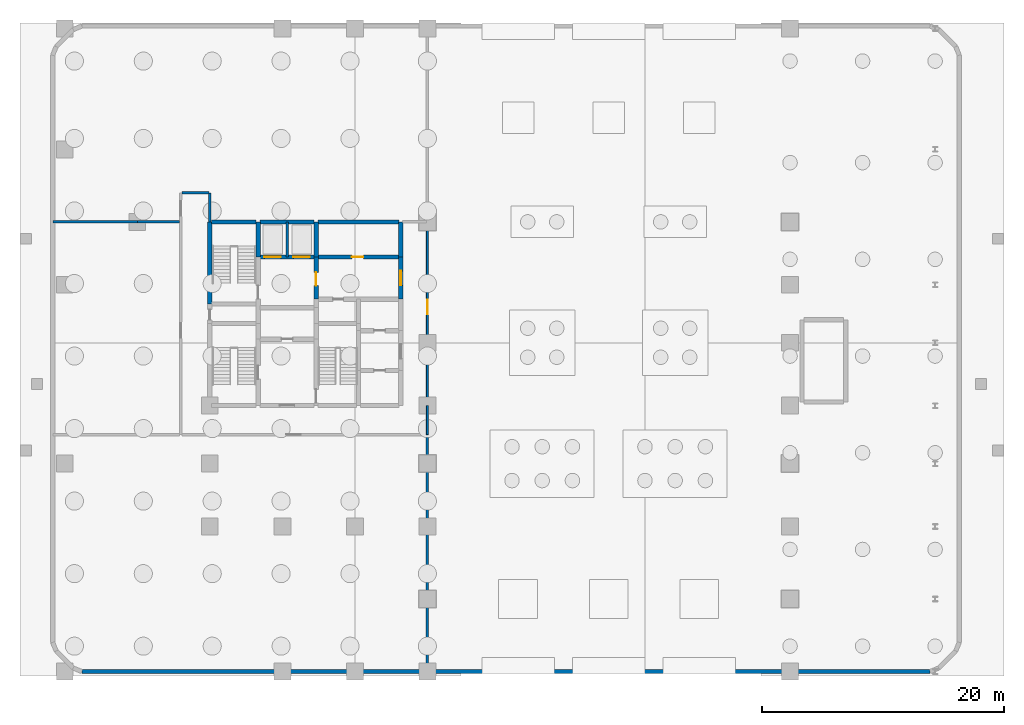
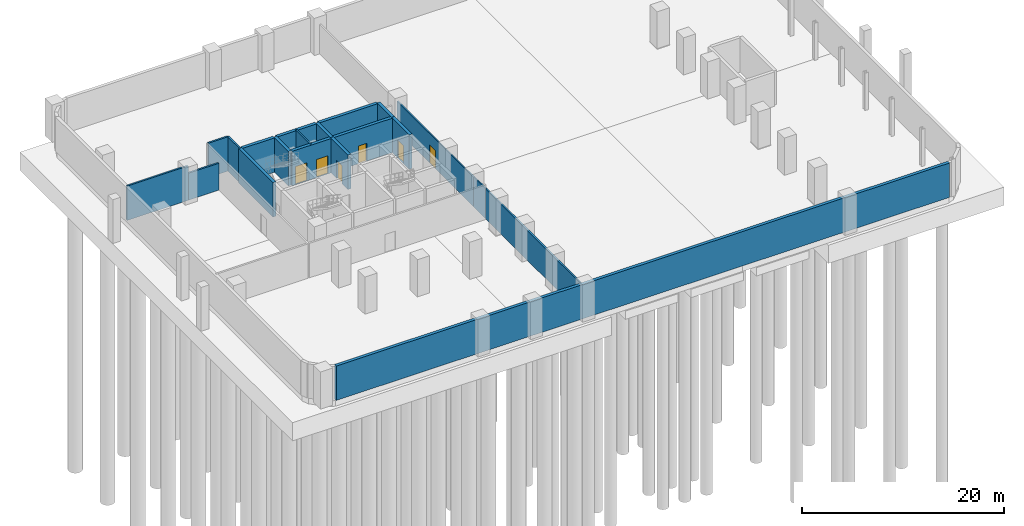
# One storey, part 5 of 8: 20 walls, 6 doors, 6 openings.
"""IFC4 building model written with IfcOpenShell, lengths in metres."""

from ifc_helpers import new_model, si_unit, direction, frame, frame_2d, origin, place, context, subcontext, project, spatial, rectangle, extrude, material, layer, layer_set, type_object, element, fill, save


model = new_model("IFC4")

# Units and contexts
model_context = context("Model", 3, precision=1e-05, world=origin(), true_north=direction((0.0, 1.0)))
body_context = subcontext(model_context, "Body", "Model", "MODEL_VIEW")
ifc_project = project(units=[si_unit("LENGTHUNIT", "METRE"), si_unit("AREAUNIT", "SQUARE_METRE"), si_unit("VOLUMEUNIT", "CUBIC_METRE"), si_unit("PLANEANGLEUNIT", "RADIAN"), si_unit("MASSUNIT", "GRAM", prefix="KILO")], contexts=[model_context])

# Site, building, storey
site_placement = place(None, origin())
site = spatial("IfcSite", under=ifc_project, at=site_placement, CompositionType="ELEMENT")
building_placement = place(site_placement, origin())
building = spatial("IfcBuilding", under=site, at=building_placement, Name="Keshet Zoharim Tower", CompositionType="ELEMENT")
storey_placement = place(building_placement, frame((0.0, 0.0, -9.0)))
storey = spatial("IfcBuildingStorey", under=building, at=storey_placement, Name="B2", CompositionType="ELEMENT", Elevation=-9.0)

# Wall
ifc_material_1 = material(Name="Gypsum Plasterboard", Category="gypsum")
ifc_layer_1 = layer(ifc_material_1, 0.14990234375)
ifc_layer_set_1 = layer_set([ifc_layer_1], Name="Gypsum Plasterboard")
wall_type_1 = type_object("IfcWallType", Name="WL-CLIN-150", PredefinedType="STANDARD", material=ifc_layer_set_1)
wall_1_placement = place(storey_placement, frame((33.0, 20.300048828125, 0.0), z_axis=(0.0, 0.0, 1.0), x_axis=(0.0, 1.0, 0.0)))
element("IfcWall", 1, at=wall_1_placement, inside=storey, type_object=wall_type_1, Name="B2 Interior Wall 027", PredefinedType="STANDARD", context=body_context, shape_type="SweptSolid", body=[
    extrude(rectangle(XDim=2.39990234375, YDim=0.14990234375, at=frame_2d((1.199951171875, 0.0))), origin(), (0.0, 0.0, 1.0), 3.610107421875),
])

# Wall, opening, door
wall_2_placement = place(storey_placement, frame((33.0, 22.699951171875, 0.0), z_axis=(0.0, 0.0, 1.0), x_axis=(0.0, 1.0, 0.0)))
wall_2 = element("IfcWall", 2, at=wall_2_placement, inside=storey, type_object=wall_type_1, Name="B2 Interior Wall 027 Part 2", PredefinedType="STANDARD", context=body_context, shape_type="SweptSolid", body=[
    extrude(rectangle(XDim=15.199951171875, YDim=0.14990234375, at=frame_2d((7.60009765625, 0.0))), origin(), (0.0, 0.0, 1.0), 3.56005859375),
])
opening_1_placement = place(wall_2_placement, frame((7.574951171875, 0.0, 0.0)))
opening_1 = element("IfcOpeningElement", 3, at=opening_1_placement, cuts=wall_2, Name="Opening D-F612", PredefinedType="OPENING", context=body_context, shape_type="SweptSolid", body=[
    extrude(rectangle(XDim=1.199951171875, YDim=2.199951171875, at=frame_2d((0.60009765625, 1.10009765625))), frame((0.0, 0.0849609375, 0.0), z_axis=(0.0, -1.0, 0.0), x_axis=(1.0, 0.0, 0.0)), (0.0, 0.0, 1.0), 0.169921875),
])
ifc_material_2 = material(Name="Hardwood Timber", Category="wood")
door_type_1 = type_object("IfcDoorType", Name="DR-FD60-120", OperationType="NOTDEFINED", PredefinedType="DOOR", material=ifc_material_2)
door_1_placement = place(opening_1_placement, origin())
door_1 = element("IfcDoor", 4, at=door_1_placement, inside=storey, type_object=door_type_1, Name="B2 Lower Basement Car Park Fire Door", OperationType="SINGLE_SWING_LEFT", OverallHeight=2.199951171875, OverallWidth=1.199951171875, PredefinedType="DOOR", context=body_context, shape_type="SweptSolid", body=[
    extrude(rectangle(XDim=1.199951171875, YDim=2.199951171875, at=frame_2d((0.60009765625, 1.10009765625))), frame((0.0, 0.02490234375, 0.0), z_axis=(0.0, -1.0, 0.0), x_axis=(1.0, 0.0, 0.0)), (0.0, 0.0, 1.0), 0.050048828125),
])
fill(opening_1, door_1)

# Walls
ifc_material_3 = material(Name="Concrete C60/75", Category="concrete")
ifc_layer_2 = layer(ifc_material_3, 0.35009765625)
ifc_layer_set_2 = layer_set([ifc_layer_2], Name="Concrete C60/75")
wall_type_2 = type_object("IfcWallType", Name="WL-CORE-350", PredefinedType="SHEAR", material=ifc_layer_set_2)
wall_3_placement = place(storey_placement, frame((15.0, 31.10009765625, 0.0), z_axis=(0.0, 0.0, 1.0), x_axis=(0.0, 1.0, 0.0)))
element("IfcWall", 5, at=wall_3_placement, inside=storey, type_object=wall_type_2, Name="B2 Core Shear Wall 004", PredefinedType="SHEAR", context=body_context, shape_type="SweptSolid", body=[
    extrude(rectangle(XDim=6.7998046875, YDim=0.35009765625, at=frame_2d((3.39990234375, 0.0))), origin(), (0.0, 0.0, 1.0), 4.159912109375),
])
wall_4_placement = place(storey_placement, frame((19.0, 35.0, 0.0), z_axis=(0.0, 0.0, 1.0), x_axis=(0.0, 1.0, 0.0)))
element("IfcWall", 6, at=wall_4_placement, inside=storey, type_object=wall_type_2, Name="B2 Core Shear Wall 009", PredefinedType="SHEAR", context=body_context, shape_type="SweptSolid", body=[
    extrude(rectangle(XDim=2.89990234375, YDim=0.35009765625, at=frame_2d((1.449951171875, 0.0))), origin(), (0.0, 0.0, 1.0), 4.159912109375),
])

# Wall, opening, door
wall_5_placement = place(storey_placement, frame((23.800048828125, 31.5, 0.0), z_axis=(0.0, 0.0, 1.0), x_axis=(0.0, 1.0, 0.0)))
wall_5 = element("IfcWall", 7, at=wall_5_placement, inside=storey, type_object=wall_type_2, Name="B2 Core Shear Wall 015", PredefinedType="SHEAR", context=body_context, shape_type="SweptSolid", body=[
    extrude(rectangle(XDim=3.5, YDim=0.35009765625, at=frame_2d((1.75, 0.0))), origin(), (0.0, 0.0, 1.0), 4.159912109375),
])
opening_2_placement = place(wall_5_placement, frame((1.126953125, 0.0, 0.0)))
opening_2 = element("IfcOpeningElement", 8, at=opening_2_placement, cuts=wall_5, Name="Opening D-F611", PredefinedType="OPENING", context=body_context, shape_type="SweptSolid", body=[
    extrude(rectangle(XDim=1.10009765625, YDim=2.14990234375, at=frame_2d((0.550048828125, 1.074951171875))), frame((0.0, 0.18505859375, 0.0), z_axis=(0.0, -1.0, 0.0), x_axis=(1.0, 0.0, 0.0)), (0.0, 0.0, 1.0), 0.3701171875),
])
door_type_2 = type_object("IfcDoorType", Name="DR-FD60-110", OperationType="NOTDEFINED", PredefinedType="DOOR", material=ifc_material_2)
door_2_placement = place(opening_2_placement, origin())
door_2 = element("IfcDoor", 9, at=door_2_placement, inside=storey, type_object=door_type_2, Name="B2 Firefighting Lobby Fire Door", OperationType="SINGLE_SWING_RIGHT", OverallHeight=2.14990234375, OverallWidth=1.10009765625, PredefinedType="DOOR", context=body_context, shape_type="SweptSolid", body=[
    extrude(rectangle(XDim=1.10009765625, YDim=2.14990234375, at=frame_2d((0.550048828125, 1.074951171875))), frame((0.0, 0.02490234375, 0.0), z_axis=(0.0, -1.0, 0.0), x_axis=(1.0, 0.0, 0.0)), (0.0, 0.0, 1.0), 0.050048828125),
])
fill(opening_2, door_2)

# Wall
wall_6_placement = place(storey_placement, frame((23.800048828125, 35.0, 0.0), z_axis=(0.0, 0.0, 1.0), x_axis=(0.0, 1.0, 0.0)))
element("IfcWall", 10, at=wall_6_placement, inside=storey, type_object=wall_type_2, Name="B2 Core Shear Wall 016", PredefinedType="SHEAR", context=body_context, shape_type="SweptSolid", body=[
    extrude(rectangle(XDim=2.89990234375, YDim=0.35009765625, at=frame_2d((1.449951171875, 0.0))), origin(), (0.0, 0.0, 1.0), 4.159912109375),
])

# Wall, opening, door
wall_7_placement = place(storey_placement, frame((30.800048828125, 31.5, 0.0), z_axis=(0.0, 0.0, 1.0), x_axis=(0.0, 1.0, 0.0)))
wall_7 = element("IfcWall", 11, at=wall_7_placement, inside=storey, type_object=wall_type_2, Name="B2 Core Shear Wall 024", PredefinedType="SHEAR", context=body_context, shape_type="SweptSolid", body=[
    extrude(rectangle(XDim=3.5, YDim=0.35009765625, at=frame_2d((1.75, 0.0))), origin(), (0.0, 0.0, 1.0), 4.159912109375),
])
opening_3_placement = place(wall_7_placement, frame((1.14990234375, 0.0, 0.0)))
opening_3 = element("IfcOpeningElement", 12, at=opening_3_placement, cuts=wall_7, Name="Opening D-F612", PredefinedType="OPENING", context=body_context, shape_type="SweptSolid", body=[
    extrude(rectangle(XDim=1.199951171875, YDim=2.199951171875, at=frame_2d((0.60009765625, 1.10009765625))), frame((0.0, 0.18505859375, 0.0), z_axis=(0.0, -1.0, 0.0), x_axis=(1.0, 0.0, 0.0)), (0.0, 0.0, 1.0), 0.3701171875),
])
door_3_placement = place(opening_3_placement, origin())
door_3 = element("IfcDoor", 13, at=door_3_placement, inside=storey, type_object=door_type_1, Name="B2 North Lift Lobby East Fire Door", OperationType="SINGLE_SWING_RIGHT", OverallHeight=2.199951171875, OverallWidth=1.199951171875, PredefinedType="DOOR", context=body_context, shape_type="SweptSolid", body=[
    extrude(rectangle(XDim=1.199951171875, YDim=2.199951171875, at=frame_2d((0.60009765625, 1.10009765625))), frame((0.0, 0.02490234375, 0.0), z_axis=(0.0, -1.0, 0.0), x_axis=(1.0, 0.0, 0.0)), (0.0, 0.0, 1.0), 0.050048828125),
])
fill(opening_3, door_3)

# Wall
wall_8_placement = place(storey_placement, frame((30.800048828125, 35.0, 0.0), z_axis=(0.0, 0.0, 1.0), x_axis=(0.0, 1.0, 0.0)))
element("IfcWall", 14, at=wall_8_placement, inside=storey, type_object=wall_type_2, Name="B2 Core Shear Wall 025", PredefinedType="SHEAR", context=body_context, shape_type="SweptSolid", body=[
    extrude(rectangle(XDim=2.89990234375, YDim=0.35009765625, at=frame_2d((1.449951171875, 0.0))), origin(), (0.0, 0.0, 1.0), 4.159912109375),
])

# Wall, openings, doors
wall_9_placement = place(storey_placement, frame((19.159912109375, 35.0, 0.0), z_axis=(0.0, 0.0, 1.0), x_axis=(1.0, 0.0, 0.0)))
wall_9 = element("IfcWall", 15, at=wall_9_placement, inside=storey, type_object=wall_type_2, Name="B2 Core Shear Wall 047", PredefinedType="SHEAR", context=body_context, shape_type="SweptSolid", body=[
    extrude(rectangle(XDim=4.47998046875, YDim=0.35009765625, at=frame_2d((2.239990234375, 0.0))), origin(), (0.0, 0.0, 1.0), 4.159912109375),
])
opening_4_placement = place(wall_9_placement, frame((0.364990234375, 0.0, 0.0)))
opening_4 = element("IfcOpeningElement", 16, at=opening_4_placement, cuts=wall_9, Name="Opening LD-02", PredefinedType="OPENING", context=body_context, shape_type="SweptSolid", body=[
    extrude(rectangle(XDim=1.35009765625, YDim=2.199951171875, at=frame_2d((0.675048828125, 1.10009765625))), frame((0.0, 0.18505859375, 0.0), z_axis=(0.0, -1.0, 0.0), x_axis=(1.0, 0.0, 0.0)), (0.0, 0.0, 1.0), 0.3701171875),
])
opening_5_placement = place(wall_9_placement, frame((2.764892578125, 0.0, 0.0)))
opening_5 = element("IfcOpeningElement", 17, at=opening_5_placement, cuts=wall_9, Name="Opening LD-02", PredefinedType="OPENING", context=body_context, shape_type="SweptSolid", body=[
    extrude(rectangle(XDim=1.35009765625, YDim=2.199951171875, at=frame_2d((0.675048828125, 1.10009765625))), frame((0.0, 0.18505859375, 0.0), z_axis=(0.0, -1.0, 0.0), x_axis=(1.0, 0.0, 0.0)), (0.0, 0.0, 1.0), 0.3701171875),
])
ifc_material_4 = material(Name="Steel S355", Category="steel")
door_type_3 = type_object("IfcDoorType", Name="DR-LD02-135", OperationType="DOUBLE_DOOR_SLIDING", PredefinedType="DOOR", material=ifc_material_4)
door_4_placement = place(opening_4_placement, origin())
door_4 = element("IfcDoor", 18, at=door_4_placement, inside=storey, type_object=door_type_3, Name="B2 Firefighting Lift Landing Door FF-01", OperationType="DOUBLE_DOOR_SLIDING", OverallHeight=2.199951171875, OverallWidth=1.35009765625, PredefinedType="DOOR", context=body_context, shape_type="SweptSolid", body=[
    extrude(rectangle(XDim=1.35009765625, YDim=2.199951171875, at=frame_2d((0.675048828125, 1.10009765625))), frame((0.0, 0.02490234375, 0.0), z_axis=(0.0, -1.0, 0.0), x_axis=(1.0, 0.0, 0.0)), (0.0, 0.0, 1.0), 0.050048828125),
])
fill(opening_4, door_4)
door_5_placement = place(opening_5_placement, origin())
door_5 = element("IfcDoor", 19, at=door_5_placement, inside=storey, type_object=door_type_3, Name="B2 Firefighting Lift Landing Door FF-02", OperationType="DOUBLE_DOOR_SLIDING", OverallHeight=2.199951171875, OverallWidth=1.35009765625, PredefinedType="DOOR", context=body_context, shape_type="SweptSolid", body=[
    extrude(rectangle(XDim=1.35009765625, YDim=2.199951171875, at=frame_2d((0.675048828125, 1.10009765625))), frame((0.0, 0.02490234375, 0.0), z_axis=(0.0, -1.0, 0.0), x_axis=(1.0, 0.0, 0.0)), (0.0, 0.0, 1.0), 0.050048828125),
])
fill(opening_5, door_5)

# Wall, opening, door
wall_10_placement = place(storey_placement, frame((23.9599609375, 35.0, 0.0), z_axis=(0.0, 0.0, 1.0), x_axis=(1.0, 0.0, 0.0)))
wall_10 = element("IfcWall", 20, at=wall_10_placement, inside=storey, type_object=wall_type_2, Name="B2 Core Shear Wall 048", PredefinedType="SHEAR", context=body_context, shape_type="SweptSolid", body=[
    extrude(rectangle(XDim=6.679931640625, YDim=0.35009765625, at=frame_2d((3.33984375, 0.0))), origin(), (0.0, 0.0, 1.0), 4.159912109375),
])
opening_6_placement = place(wall_10_placement, frame((2.7939453125, 0.0, 0.0)))
opening_6 = element("IfcOpeningElement", 21, at=opening_6_placement, cuts=wall_10, Name="Opening D-F695", PredefinedType="OPENING", context=body_context, shape_type="SweptSolid", body=[
    extrude(rectangle(XDim=0.949951171875, YDim=2.14990234375, at=frame_2d((0.47509765625, 1.074951171875))), frame((0.0, 0.18505859375, 0.0), z_axis=(0.0, -1.0, 0.0), x_axis=(1.0, 0.0, 0.0)), (0.0, 0.0, 1.0), 0.3701171875),
])
door_type_4 = type_object("IfcDoorType", Name="DR-FD60-095", OperationType="NOTDEFINED", PredefinedType="DOOR", material=ifc_material_2)
door_6_placement = place(opening_6_placement, frame((0.949951171875, 0.0, 0.0), z_axis=(0.0, 0.0, 1.0), x_axis=(-1.0, 0.0, 0.0)))
door_6 = element("IfcDoor", 22, at=door_6_placement, inside=storey, type_object=door_type_4, Name="B2 Low-Rise Lift Pit Door", OperationType="SINGLE_SWING_RIGHT", OverallHeight=2.14990234375, OverallWidth=0.949951171875, PredefinedType="DOOR", context=body_context, shape_type="SweptSolid", body=[
    extrude(rectangle(XDim=0.949951171875, YDim=2.14990234375, at=frame_2d((0.47509765625, 1.074951171875))), frame((0.0, 0.02490234375, 0.0), z_axis=(0.0, -1.0, 0.0), x_axis=(1.0, 0.0, 0.0)), (0.0, 0.0, 1.0), 0.050048828125),
])
fill(opening_6, door_6)

# Walls
wall_11_placement = place(storey_placement, frame((15.159912109375, 37.89990234375, 0.0), z_axis=(0.0, 0.0, 1.0), x_axis=(1.0, 0.0, 0.0)))
element("IfcWall", 23, at=wall_11_placement, inside=storey, type_object=wall_type_2, Name="B2 Core Shear Wall 050", PredefinedType="SHEAR", context=body_context, shape_type="SweptSolid", body=[
    extrude(rectangle(XDim=3.68017578125, YDim=0.35009765625, at=frame_2d((1.840087890625, 0.0))), origin(), (0.0, 0.0, 1.0), 4.159912109375),
])
wall_12_placement = place(storey_placement, frame((19.159912109375, 37.89990234375, 0.0), z_axis=(0.0, 0.0, 1.0), x_axis=(1.0, 0.0, 0.0)))
element("IfcWall", 24, at=wall_12_placement, inside=storey, type_object=wall_type_2, Name="B2 Core Shear Wall 051", PredefinedType="SHEAR", context=body_context, shape_type="SweptSolid", body=[
    extrude(rectangle(XDim=4.47998046875, YDim=0.35009765625, at=frame_2d((2.239990234375, 0.0))), origin(), (0.0, 0.0, 1.0), 4.159912109375),
])
wall_13_placement = place(storey_placement, frame((23.9599609375, 37.89990234375, 0.0), z_axis=(0.0, 0.0, 1.0), x_axis=(1.0, 0.0, 0.0)))
element("IfcWall", 25, at=wall_13_placement, inside=storey, type_object=wall_type_2, Name="B2 Core Shear Wall 052", PredefinedType="SHEAR", context=body_context, shape_type="SweptSolid", body=[
    extrude(rectangle(XDim=6.679931640625, YDim=0.35009765625, at=frame_2d((3.33984375, 0.0))), origin(), (0.0, 0.0, 1.0), 4.159912109375),
])
ifc_material_5 = material(Name="Concrete C50/60", Category="concrete")
ifc_layer_3 = layer(ifc_material_5, 0.199951171875)
ifc_layer_set_3 = layer_set([ifc_layer_3], Name="Concrete C50/60")
wall_type_3 = type_object("IfcWallType", Name="WL-FIRE-200", PredefinedType="STANDARD", material=ifc_layer_set_3)
wall_14_placement = place(storey_placement, frame((15.0, 37.89990234375, 0.0), z_axis=(0.0, 0.0, 1.0), x_axis=(0.0, 1.0, 0.0)))
element("IfcWall", 26, at=wall_14_placement, inside=storey, type_object=wall_type_3, Name="B2 Interior Wall 005", PredefinedType="STANDARD", context=body_context, shape_type="SweptSolid", body=[
    extrude(rectangle(XDim=2.400146484375, YDim=0.199951171875, at=frame_2d((1.2001953125, 0.0))), origin(), (0.0, 0.0, 1.0), 4.159912109375),
])
wall_15_placement = place(storey_placement, frame((21.39990234375, 35.0, 0.0), z_axis=(0.0, 0.0, 1.0), x_axis=(0.0, 1.0, 0.0)))
element("IfcWall", 27, at=wall_15_placement, inside=storey, type_object=wall_type_3, Name="B2 Interior Wall 010", PredefinedType="STANDARD", context=body_context, shape_type="SweptSolid", body=[
    extrude(rectangle(XDim=2.89990234375, YDim=0.199951171875, at=frame_2d((1.449951171875, 0.0))), origin(), (0.0, 0.0, 1.0), 4.159912109375),
])
wall_16_placement = place(storey_placement, frame((33.0, 0.7099609375, 0.0), z_axis=(0.0, 0.0, 1.0), x_axis=(0.0, 1.0, 0.0)))
element("IfcWall", 28, at=wall_16_placement, inside=storey, type_object=wall_type_3, Name="B2 Interior Wall 026", PredefinedType="STANDARD", context=body_context, shape_type="SweptSolid", body=[
    extrude(rectangle(XDim=19.580078125, YDim=0.199951171875, at=frame_2d((9.7900390625, 0.0))), origin(), (0.0, 0.0, 1.0), 3.610107421875),
])
wall_17_placement = place(storey_placement, frame((2.010009765625, 37.89990234375, 0.0), z_axis=(0.0, 0.0, 1.0), x_axis=(1.0, 0.0, 0.0)))
element("IfcWall", 29, at=wall_17_placement, inside=storey, type_object=wall_type_3, Name="B2 Interior Wall 049", PredefinedType="STANDARD", context=body_context, shape_type="SweptSolid", body=[
    extrude(rectangle(XDim=6.989990234375, YDim=0.199951171875, at=frame_2d((3.4951171875, 0.0))), origin(), (0.0, 0.0, 1.0), 4.159912109375),
])
wall_18_placement = place(storey_placement, frame((12.68505859375, 40.300048828125, 0.0), z_axis=(0.0, 0.0, 1.0), x_axis=(1.0, 0.0, 0.0)))
element("IfcWall", 30, at=wall_18_placement, inside=storey, type_object=wall_type_3, Name="B2 Interior Wall 054", PredefinedType="STANDARD", context=body_context, shape_type="SweptSolid", body=[
    extrude(rectangle(XDim=2.22998046875, YDim=0.199951171875, at=frame_2d((1.114990234375, 0.0))), origin(), (0.0, 0.0, 1.0), 4.159912109375),
])
wall_19_placement = place(storey_placement, frame((9.0, 37.89990234375, 0.0), z_axis=(0.0, 0.0, 1.0), x_axis=(1.0, 0.0, 0.0)))
element("IfcWall", 31, at=wall_19_placement, inside=storey, type_object=wall_type_3, Name="B2 Interior Wall 049 Part 2", PredefinedType="STANDARD", context=body_context, shape_type="SweptSolid", body=[
    extrude(rectangle(XDim=3.514892578125, YDim=0.199951171875, at=frame_2d((1.75732421875, 0.0))), origin(), (0.0, 0.0, 1.0), 3.260009765625),
])
ifc_layer_4 = layer(ifc_material_5, 0.35009765625)
ifc_layer_set_4 = layer_set([ifc_layer_4], Name="Concrete C50/60")
wall_type_4 = type_object("IfcWallType", Name="WL-RET-350", PredefinedType="USERDEFINED", material=ifc_layer_set_4)
wall_20_placement = place(storey_placement, frame((74.5859375, 0.699951171875, 0.0), z_axis=(0.0, 0.0, 1.0), x_axis=(-1.0, 0.0, 0.0)))
element("IfcWall", 32, at=wall_20_placement, inside=storey, type_object=wall_type_4, Name="B2 Perimeter Retaining Wall 14", ObjectType="RETAINING", PredefinedType="USERDEFINED", context=body_context, shape_type="SweptSolid", body=[
    extrude(rectangle(XDim=70.171875, YDim=0.35009765625, at=frame_2d((35.0859375, 0.0))), origin(), (0.0, 0.0, 1.0), 4.159912109375),
])

save(model, "model.ifc")
